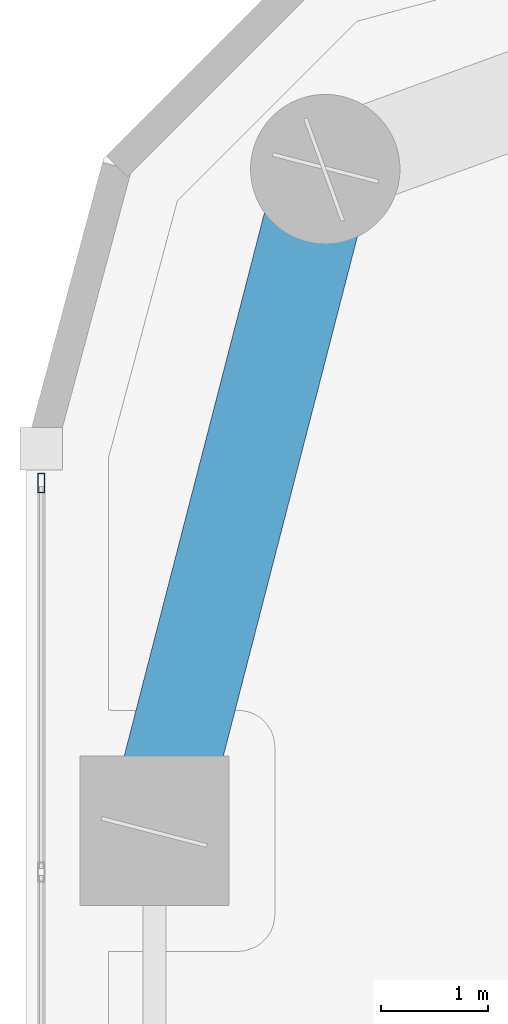
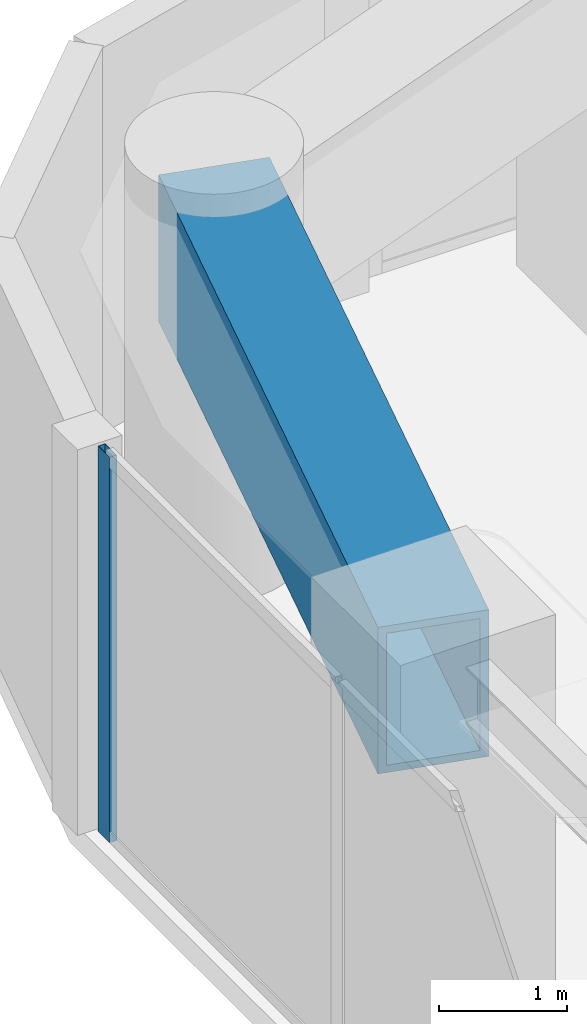
# One storey, part 15 of 30: 1 beam, 1 member, 1 element without a shape of its own.
"""IFC4 building model written with IfcOpenShell, lengths in metres."""

from ifc_helpers import new_model, si_unit, direction, frame, origin, origin_2d, place, context, subcontext, project, spatial, hollow_rectangle, extrude, material, layer, layer_set, material_profile, profile_set, type_object, element, aggregate, save


model = new_model("IFC4")

# Units and contexts
model_context = context("Model", 3, precision=1e-05, world=origin(), true_north=direction((0.0, 1.0)))
body_context = subcontext(model_context, "Body", "Model", "MODEL_VIEW")
ifc_project = project(units=[si_unit("LENGTHUNIT", "METRE"), si_unit("AREAUNIT", "SQUARE_METRE"), si_unit("VOLUMEUNIT", "CUBIC_METRE"), si_unit("PLANEANGLEUNIT", "RADIAN"), si_unit("MASSUNIT", "GRAM", prefix="KILO")], contexts=[model_context])

# Site, building, storey
site_placement = place(None, origin())
site = spatial("IfcSite", under=ifc_project, at=site_placement, CompositionType="ELEMENT")
building_placement = place(site_placement, origin())
building = spatial("IfcBuilding", under=site, at=building_placement, Name="Kiyonajd Concourse Tower", CompositionType="ELEMENT")
storey_placement = place(building_placement, frame((0.0, 0.0, 150.60009765625)))
storey = spatial("IfcBuildingStorey", under=building, at=storey_placement, Name="L38", CompositionType="ELEMENT", Elevation=150.60009765625)

# Beam
ifc_material_1 = material(Name="Steel ASTM A572 Grade 50", Category="steel")
ifc_material_profile_1 = material_profile(ifc_material_1, hollow_rectangle(XDim=0.89990234375, YDim=1.39990234375, WallThickness=0.070068359375, at=origin_2d()), Name="BOX-1400x900x70")
ifc_profile_set_1 = profile_set([ifc_material_profile_1], Name="Steel ASTM A572 Grade 50")
beam_type = type_object("IfcBeamType", Name="BM-XFER-1400", PredefinedType="BEAM", material=ifc_profile_set_1)
beam_placement = place(storey_placement, frame((20.800048828125, 59.60009765625, 2.97998046875), z_axis=(-0.249884937687, -0.968275538221, 0.0), x_axis=(0.968275538221, -0.249884937687, 0.0)))
element("IfcBeam", 1, at=beam_placement, inside=storey, type_object=beam_type, Name="L38 Perimeter Bundled Tube Spandrel", PredefinedType="BEAM", context=body_context, shape_type="SweptSolid", body=[
    extrude(hollow_rectangle(XDim=0.89990234375, YDim=1.39990234375, WallThickness=0.070068359375, at=origin_2d()), origin(), (0.0, 0.0, 1.0), 6.4033203125),
])

# Curtain wall, member
ifc_material_2 = material(Name="Thermally Broken Anodised Aluminium", Category="aluminium")
ifc_layer = layer(ifc_material_2, 0.179931640625)
ifc_layer_set = layer_set([ifc_layer], Name="Thermally Broken Anodised Aluminium")
curtain_wall_type = type_object("IfcCurtainWallType", Name="CW-SYS-03", PredefinedType="NOTDEFINED", material=ifc_layer_set)
curtain_wall_placement = place(storey_placement, origin())
curtain_wall = element("IfcCurtainWall", 2, at=curtain_wall_placement, inside=storey, type_object=curtain_wall_type, Name="L38 Unitised Curtain Wall CW3", PredefinedType="NOTDEFINED")
ifc_material_profile_2 = material_profile(ifc_material_2, hollow_rectangle(XDim=0.06494140625, YDim=0.179931640625, WallThickness=0.00390625, at=origin_2d()), Name="MULL-65x180")
ifc_profile_set_2 = profile_set([ifc_material_profile_2], Name="Thermally Broken Anodised Aluminium")
member_type = type_object("IfcMemberType", Name="MB-CW-MULL1", PredefinedType="MULLION", material=ifc_profile_set_2)
member_placement = place(storey_placement, frame((18.139892578125, 56.6591796875, 0.0), z_axis=(0.0, 0.0, 1.0), x_axis=(-1.0, 0.0, 0.0)))
member = element("IfcMember", 3, at=member_placement, type_object=member_type, Name="CW3 mullion 7", PredefinedType="MULLION", context=body_context, shape_type="SweptSolid", body=[
    extrude(hollow_rectangle(XDim=0.06494140625, YDim=0.179931640625, WallThickness=0.00390625, at=origin_2d()), origin(), (0.0, 0.0, 1.0), 3.679931640625),
])
aggregate(curtain_wall, [member])

save(model, "model.ifc")
